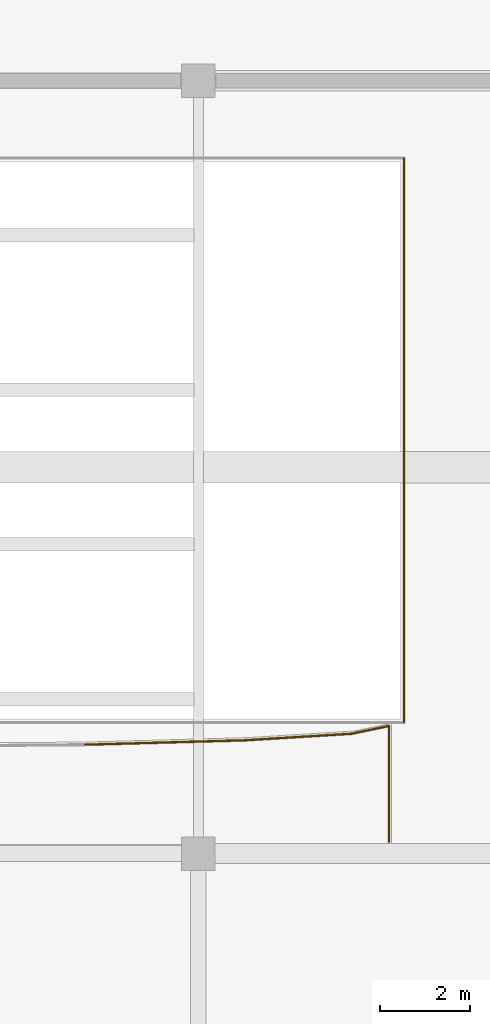
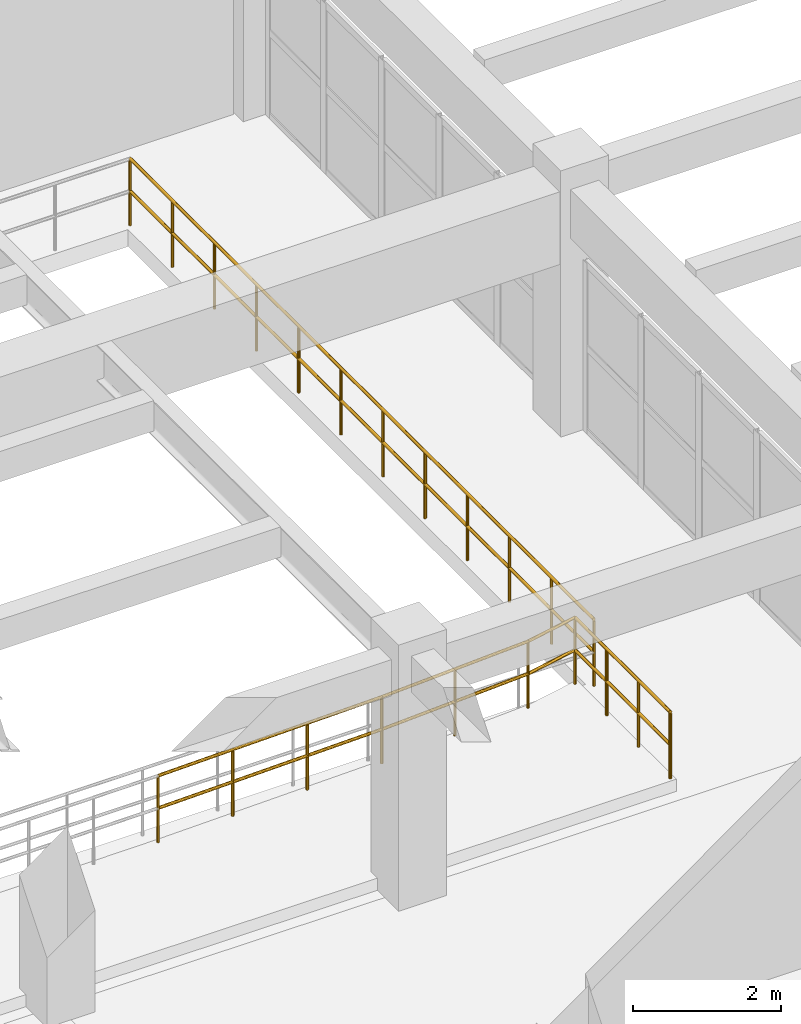
# One storey, part 116 of 116: 5 railings.
"""IFC4 building model written with IfcOpenShell, lengths in metres."""

from ifc_helpers import new_model, si_unit, direction, frame, origin, origin_2d, place, context, subcontext, project, spatial, circle, extrude, material, type_object, element, save


model = new_model("IFC4")

# Units and contexts
model_context = context("Model", 3, precision=1e-05, world=origin(), true_north=direction((0.0, 1.0)))
body_context = subcontext(model_context, "Body", "Model", "MODEL_VIEW")
ifc_project = project(units=[si_unit("LENGTHUNIT", "METRE"), si_unit("AREAUNIT", "SQUARE_METRE"), si_unit("VOLUMEUNIT", "CUBIC_METRE"), si_unit("PLANEANGLEUNIT", "RADIAN"), si_unit("MASSUNIT", "GRAM", prefix="KILO")], contexts=[model_context])

# Site, building, storey
site_placement = place(None, origin())
site = spatial("IfcSite", under=ifc_project, at=site_placement, CompositionType="ELEMENT")
building_placement = place(site_placement, origin())
building = spatial("IfcBuilding", under=site, at=building_placement, Name="Muzn Square Opera House", CompositionType="ELEMENT")
storey_placement = place(building_placement, frame((0.0, 0.0, 5.39990234375)))
storey = spatial("IfcBuildingStorey", under=building, at=storey_placement, Name="L01", CompositionType="ELEMENT", Elevation=5.39990234375)

# Railings
ifc_material = material(Name="Architectural bronze mashrabiya", Category="metal")
railing_type = type_object("IfcRailingType", Name="Bronze Protective Balustrade 1120mm", PredefinedType="BALUSTRADE", material=ifc_material)
railing_1_placement = place(storey_placement, frame((167.080078125, 75.52001953125, 0.0)))
element("IfcRailing", 1, at=railing_1_placement, inside=storey, type_object=railing_type, Name="Void Edge Balustrade L01-0026", PredefinedType="BALUSTRADE", context=body_context, shape_type="SweptSolid", body=[
    extrude(circle(Radius=0.02392578125, at=origin_2d()), frame((0.0, 0.0, 1.09619140625), z_axis=(0.0, 1.0, 0.0), x_axis=(-1.0, 0.0, 0.0)), (0.0, 0.0, 1.0), 12.56005859375),
    extrude(circle(Radius=0.02392578125, at=origin_2d()), frame((0.0, 0.0, 0.56005859375), z_axis=(0.0, 1.0, 0.0), x_axis=(-1.0, 0.0, 0.0)), (0.0, 0.0, 1.0), 12.56005859375),
    extrude(circle(Radius=0.02099609375, at=origin_2d()), origin(), (0.0, 0.0, 1.0), 1.072021484375),
    extrude(circle(Radius=0.02099609375, at=origin_2d()), frame((0.0, 1.141845703125, 0.0)), (0.0, 0.0, 1.0), 1.072021484375),
    extrude(circle(Radius=0.02099609375, at=origin_2d()), frame((0.0, 2.28369140625, 0.0)), (0.0, 0.0, 1.0), 1.072021484375),
    extrude(circle(Radius=0.02099609375, at=origin_2d()), frame((0.0, 3.425537109375, 0.0)), (0.0, 0.0, 1.0), 1.072021484375),
    extrude(circle(Radius=0.02099609375, at=origin_2d()), frame((0.0, 4.5673828125, 0.0)), (0.0, 0.0, 1.0), 1.072021484375),
    extrude(circle(Radius=0.02099609375, at=origin_2d()), frame((0.0, 5.709228515625, 0.0)), (0.0, 0.0, 1.0), 1.072021484375),
    extrude(circle(Radius=0.02099609375, at=origin_2d()), frame((0.0, 6.850830078125, 0.0)), (0.0, 0.0, 1.0), 1.072021484375),
    extrude(circle(Radius=0.02099609375, at=origin_2d()), frame((0.0, 7.99267578125, 0.0)), (0.0, 0.0, 1.0), 1.072021484375),
    extrude(circle(Radius=0.02099609375, at=origin_2d()), frame((0.0, 9.134521484375, 0.0)), (0.0, 0.0, 1.0), 1.072021484375),
    extrude(circle(Radius=0.02099609375, at=origin_2d()), frame((0.0, 10.2763671875, 0.0)), (0.0, 0.0, 1.0), 1.072021484375),
    extrude(circle(Radius=0.02099609375, at=origin_2d()), frame((0.0, 11.418212890625, 0.0)), (0.0, 0.0, 1.0), 1.072021484375),
    extrude(circle(Radius=0.02099609375, at=origin_2d()), frame((0.0, 12.56005859375, 0.0)), (0.0, 0.0, 1.0), 1.072021484375),
])
railing_2_placement = place(storey_placement, frame((166.739990234375, 72.860107421875, 0.2001953125)))
element("IfcRailing", 2, at=railing_2_placement, inside=storey, type_object=railing_type, Name="Auditorium Balcony Tier Front Balustrade L01-0167", PredefinedType="BALUSTRADE", context=body_context, shape_type="SweptSolid", body=[
    extrude(circle(Radius=0.02392578125, at=origin_2d()), frame((0.0, 0.0, 1.09619140625), z_axis=(0.0, 1.0, 0.0), x_axis=(-1.0, 0.0, 0.0)), (0.0, 0.0, 1.0), 2.579833984375),
    extrude(circle(Radius=0.02392578125, at=origin_2d()), frame((0.0, 0.0, 0.56005859375), z_axis=(0.0, 1.0, 0.0), x_axis=(-1.0, 0.0, 0.0)), (0.0, 0.0, 1.0), 2.579833984375),
    extrude(circle(Radius=0.02099609375, at=origin_2d()), origin(), (0.0, 0.0, 1.0), 1.072021484375),
    extrude(circle(Radius=0.02099609375, at=origin_2d()), frame((0.0, 0.85986328125, 0.0)), (0.0, 0.0, 1.0), 1.072021484375),
    extrude(circle(Radius=0.02099609375, at=origin_2d()), frame((0.0, 1.719970703125, 0.0)), (0.0, 0.0, 1.0), 1.072021484375),
    extrude(circle(Radius=0.02099609375, at=origin_2d()), frame((0.0, 2.579833984375, 0.0)), (0.0, 0.0, 1.0), 1.072021484375),
])
railing_3_placement = place(storey_placement, frame((166.739990234375, 75.43994140625, 0.2001953125)))
element("IfcRailing", 3, at=railing_3_placement, inside=storey, type_object=railing_type, Name="Auditorium Balcony Tier Front Balustrade L01-0168", PredefinedType="BALUSTRADE", context=body_context, shape_type="SweptSolid", body=[
    extrude(circle(Radius=0.02392578125, at=origin_2d()), frame((0.0, 0.0, 1.09619140625), z_axis=(-0.979336888996, -0.202235649309, 0.0), x_axis=(0.202235649309, -0.979336888996, 0.0)), (0.0, 0.0, 1.0), 0.85107421875),
    extrude(circle(Radius=0.02392578125, at=origin_2d()), frame((0.0, 0.0, 0.56005859375), z_axis=(-0.979336888996, -0.202235649309, 0.0), x_axis=(0.202235649309, -0.979336888996, 0.0)), (0.0, 0.0, 1.0), 0.85107421875),
    extrude(circle(Radius=0.02099609375, at=origin_2d()), origin(), (0.0, 0.0, 1.0), 1.072021484375),
    extrude(circle(Radius=0.02099609375, at=origin_2d()), frame((-0.83349609375, -0.172119140625, 0.0)), (0.0, 0.0, 1.0), 1.072021484375),
])
railing_4_placement = place(storey_placement, frame((165.906494140625, 75.267822265625, 0.2001953125)))
element("IfcRailing", 4, at=railing_4_placement, inside=storey, type_object=railing_type, Name="Auditorium Balcony Tier Front Balustrade L01-0169", PredefinedType="BALUSTRADE", context=body_context, shape_type="SweptSolid", body=[
    extrude(circle(Radius=0.02392578125, at=origin_2d()), frame((0.0, 0.0, 1.09619140625), z_axis=(-0.998113999395, -0.061387655213, 0.0), x_axis=(0.061387655213, -0.998113999395, 0.0)), (0.0, 0.0, 1.0), 2.378173828125),
    extrude(circle(Radius=0.02392578125, at=origin_2d()), frame((0.0, 0.0, 0.56005859375), z_axis=(-0.998113999395, -0.061387655213, 0.0), x_axis=(0.061387655213, -0.998113999395, 0.0)), (0.0, 0.0, 1.0), 2.378173828125),
    extrude(circle(Radius=0.02099609375, at=origin_2d()), origin(), (0.0, 0.0, 1.0), 1.072021484375),
    extrude(circle(Radius=0.02099609375, at=origin_2d()), frame((-1.18701171875, -0.072998046875, 0.0)), (0.0, 0.0, 1.0), 1.072021484375),
    extrude(circle(Radius=0.02099609375, at=origin_2d()), frame((-2.373779296875, -0.14599609375, 0.0)), (0.0, 0.0, 1.0), 1.072021484375),
])
railing_5_placement = place(storey_placement, frame((163.53271484375, 75.121826171875, 0.2001953125)))
element("IfcRailing", 5, at=railing_5_placement, inside=storey, type_object=railing_type, Name="Auditorium Balcony Tier Front Balustrade L01-0170", PredefinedType="BALUSTRADE", context=body_context, shape_type="SweptSolid", body=[
    extrude(circle(Radius=0.02392578125, at=origin_2d()), frame((0.0, 0.0, 1.09619140625), z_axis=(-0.999624210233, -0.02741237525, 0.0), x_axis=(0.02741237525, -0.999624210233, 0.0)), (0.0, 0.0, 1.0), 3.553466796875),
    extrude(circle(Radius=0.02392578125, at=origin_2d()), frame((0.0, 0.0, 0.56005859375), z_axis=(-0.999624210233, -0.02741237525, 0.0), x_axis=(0.02741237525, -0.999624210233, 0.0)), (0.0, 0.0, 1.0), 3.553466796875),
    extrude(circle(Radius=0.02099609375, at=origin_2d()), origin(), (0.0, 0.0, 1.0), 1.072021484375),
    extrude(circle(Radius=0.02099609375, at=origin_2d()), frame((-1.18408203125, -0.032470703125, 0.0)), (0.0, 0.0, 1.0), 1.072021484375),
    extrude(circle(Radius=0.02099609375, at=origin_2d()), frame((-2.3681640625, -0.06494140625, 0.0)), (0.0, 0.0, 1.0), 1.072021484375),
    extrude(circle(Radius=0.02099609375, at=origin_2d()), frame((-3.55224609375, -0.097412109375, 0.0)), (0.0, 0.0, 1.0), 1.072021484375),
])

save(model, "model.ifc")
